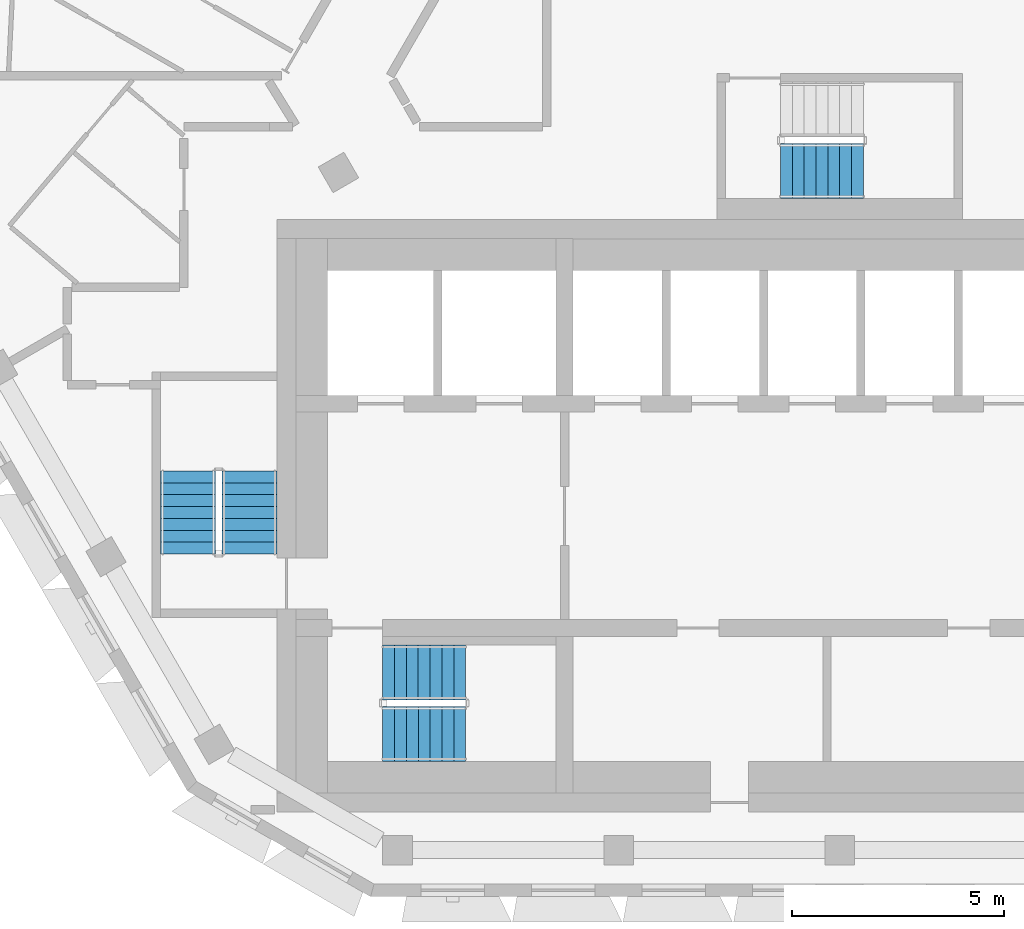
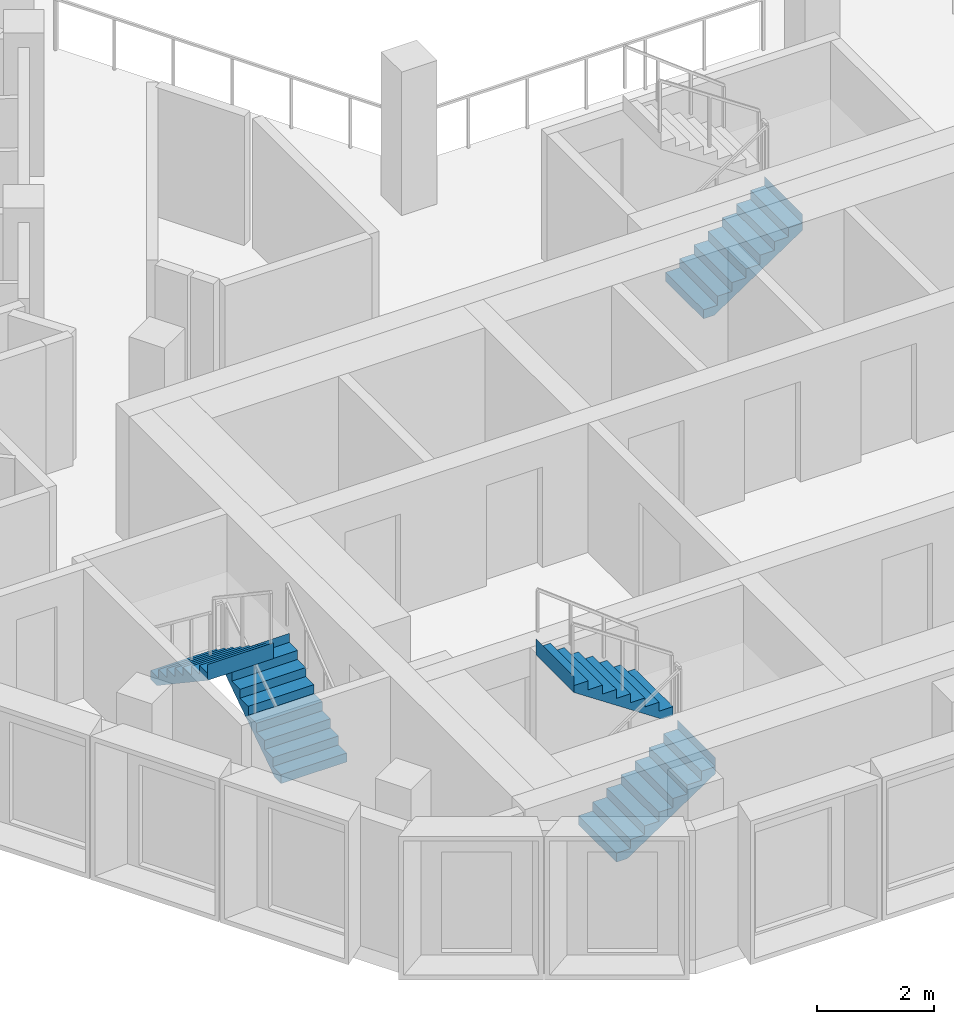
# One storey, part 10 of 16: 5 stair flights, 3 elements without a shape of their own.
"""IFC4 building model written with IfcOpenShell, lengths in metres."""

from ifc_helpers import new_model, si_unit, direction, frame, origin, place, context, subcontext, project, spatial, triangles, material, type_object, element, aggregate, save


model = new_model("IFC4")

# Units and contexts
model_context = context("Model", 3, precision=1e-05, world=origin(), true_north=direction((0.0, 1.0)))
body_context = subcontext(model_context, "Body", "Model", "MODEL_VIEW")
ifc_project = project(units=[si_unit("LENGTHUNIT", "METRE"), si_unit("AREAUNIT", "SQUARE_METRE"), si_unit("VOLUMEUNIT", "CUBIC_METRE"), si_unit("PLANEANGLEUNIT", "RADIAN"), si_unit("MASSUNIT", "GRAM", prefix="KILO")], contexts=[model_context])

# Site, building, storey
site_placement = place(None, origin())
site = spatial("IfcSite", under=ifc_project, at=site_placement, CompositionType="ELEMENT")
building_placement = place(site_placement, origin())
building = spatial("IfcBuilding", under=site, at=building_placement, Name="Beryl Residences", CompositionType="ELEMENT")
storey_placement = place(building_placement, frame((0.0, 0.0, 208.800048828125)))
storey = spatial("IfcBuildingStorey", under=building, at=storey_placement, Name="L64", CompositionType="ELEMENT", Elevation=208.800048828125)

# Stair, stair flights
ifc_material_1 = material(Name="Concrete C40/50", Category="concrete")
stair_type = type_object("IfcStairType", Name="ST1 protected exit stair, half-turn, 1300 mm flights", PredefinedType="HALF_TURN_STAIR", material=ifc_material_1)
stair_1_placement = place(storey_placement, origin())
stair_1 = element("IfcStair", 1, at=stair_1_placement, inside=storey, type_object=stair_type, Name="L64 PROTECTED EXIT STAIR ST-1", PredefinedType="HALF_TURN_STAIR")
ifc_material_2 = material(Name="Concrete C40/50", Category="concrete")
stair_flight_type = type_object("IfcStairFlightType", Name="SF1 stair flight 1300 mm", PredefinedType="STRAIGHT", material=ifc_material_2)
stair_flight_1_placement = place(storey_placement, frame((-10.800048828125, -17.14990234375, 0.0), z_axis=(0.0, 0.0, 1.0), x_axis=(1.0, 0.0, 0.0)))
stair_flight_1 = element("IfcStairFlight", 2, at=stair_flight_1_placement, type_object=stair_flight_type, Name="ST-1 flight 1", NumberOfRisers=8, NumberOfTreads=7, PredefinedType="STRAIGHT", RiserHeight=0.1875, TreadLength=0.28, context=body_context, shape_type="Tessellation", body=[
    triangles([(0.0, -0.64990234375, 0.0), (0.0, -0.324951171875, 0.0), (0.0, 0.0, 0.0), (0.0, 0.324951171875, 0.0), (0.0, 0.64990234375, 0.0), (0.0, -0.64990234375, 0.1875), (0.0, -0.324951171875, 0.1875), (0.0, 0.0, 0.1875), (0.0, 0.324951171875, 0.1875), (0.0, 0.64990234375, 0.1875), (0.280029296875, -0.64990234375, 0.1875), (0.280029296875, -0.324951171875, 0.1875), (0.280029296875, 0.0, 0.1875), (0.280029296875, 0.324951171875, 0.1875), (0.280029296875, 0.64990234375, 0.1875), (0.280029296875, -0.64990234375, 0.375), (0.280029296875, -0.324951171875, 0.375), (0.280029296875, 0.0, 0.375), (0.280029296875, 0.324951171875, 0.375), (0.280029296875, 0.64990234375, 0.375), (0.56005859375, -0.64990234375, 0.375), (0.56005859375, -0.324951171875, 0.375), (0.56005859375, 0.0, 0.375), (0.56005859375, 0.324951171875, 0.375), (0.56005859375, 0.64990234375, 0.375), (0.56005859375, -0.64990234375, 0.5625), (0.56005859375, -0.324951171875, 0.5625), (0.56005859375, 0.0, 0.5625), (0.56005859375, 0.324951171875, 0.5625), (0.56005859375, 0.64990234375, 0.5625), (0.840087890625, -0.64990234375, 0.5625), (0.840087890625, -0.324951171875, 0.5625), (0.840087890625, 0.0, 0.5625), (0.840087890625, 0.324951171875, 0.5625), (0.840087890625, 0.64990234375, 0.5625), (0.840087890625, -0.64990234375, 0.75), (0.840087890625, -0.324951171875, 0.75), (0.840087890625, 0.0, 0.75), (0.840087890625, 0.324951171875, 0.75), (0.840087890625, 0.64990234375, 0.75), (1.1201171875, -0.64990234375, 0.75), (1.1201171875, -0.324951171875, 0.75), (1.1201171875, 0.0, 0.75), (1.1201171875, 0.324951171875, 0.75), (1.1201171875, 0.64990234375, 0.75), (1.1201171875, -0.64990234375, 0.9375), (1.1201171875, -0.324951171875, 0.9375), (1.1201171875, 0.0, 0.9375), (1.1201171875, 0.324951171875, 0.9375), (1.1201171875, 0.64990234375, 0.9375), (1.39990234375, -0.64990234375, 0.9375), (1.39990234375, -0.324951171875, 0.9375), (1.39990234375, 0.0, 0.9375), (1.39990234375, 0.324951171875, 0.9375), (1.39990234375, 0.64990234375, 0.9375), (1.39990234375, -0.64990234375, 1.125), (1.39990234375, -0.324951171875, 1.125), (1.39990234375, 0.0, 1.125), (1.39990234375, 0.324951171875, 1.125), (1.39990234375, 0.64990234375, 1.125), (1.679931640625, -0.64990234375, 1.125), (1.679931640625, -0.324951171875, 1.125), (1.679931640625, 0.0, 1.125), (1.679931640625, 0.324951171875, 1.125), (1.679931640625, 0.64990234375, 1.125), (1.679931640625, -0.64990234375, 1.3125), (1.679931640625, -0.324951171875, 1.3125), (1.679931640625, 0.0, 1.3125), (1.679931640625, 0.324951171875, 1.3125), (1.679931640625, 0.64990234375, 1.3125), (1.9599609375, -0.64990234375, 1.3125), (1.9599609375, -0.324951171875, 1.3125), (1.9599609375, 0.0, 1.3125), (1.9599609375, 0.324951171875, 1.3125), (1.9599609375, 0.64990234375, 1.3125), (1.9599609375, -0.64990234375, 1.5), (1.9599609375, -0.324951171875, 1.5), (1.9599609375, 0.0, 1.5), (1.9599609375, 0.324951171875, 1.5), (1.9599609375, 0.64990234375, 1.5), (1.9609375, -0.64990234375, 1.5), (1.9609375, -0.324951171875, 1.5), (1.9609375, 0.0, 1.5), (1.9609375, 0.324951171875, 1.5), (1.9609375, 0.64990234375, 1.5), (1.9609375, -0.64990234375, 1.16796875), (1.9609375, -0.324951171875, 1.16796875), (1.9609375, 0.0, 1.16796875), (1.9609375, 0.324951171875, 1.16796875), (1.9609375, 0.64990234375, 1.16796875), (0.216796875, -0.64990234375, 0.0), (0.216796875, -0.324951171875, 0.0), (0.216796875, 0.0, 0.0), (0.216796875, 0.324951171875, 0.0), (0.216796875, 0.64990234375, 0.0)], [[1, 6, 7], [1, 7, 2], [2, 7, 8], [2, 8, 3], [3, 8, 9], [3, 9, 4], [4, 9, 10], [4, 10, 5], [6, 11, 12], [6, 12, 7], [7, 12, 13], [7, 13, 8], [8, 13, 14], [8, 14, 9], [9, 14, 15], [9, 15, 10], [11, 16, 17], [11, 17, 12], [12, 17, 18], [12, 18, 13], [13, 18, 19], [13, 19, 14], [14, 19, 20], [14, 20, 15], [16, 21, 22], [16, 22, 17], [17, 22, 23], [17, 23, 18], [18, 23, 24], [18, 24, 19], [19, 24, 25], [19, 25, 20], [21, 26, 27], [21, 27, 22], [22, 27, 28], [22, 28, 23], [23, 28, 29], [23, 29, 24], [24, 29, 30], [24, 30, 25], [26, 31, 32], [26, 32, 27], [27, 32, 33], [27, 33, 28], [28, 33, 34], [28, 34, 29], [29, 34, 35], [29, 35, 30], [31, 36, 37], [31, 37, 32], [32, 37, 38], [32, 38, 33], [33, 38, 39], [33, 39, 34], [34, 39, 40], [34, 40, 35], [36, 41, 42], [36, 42, 37], [37, 42, 43], [37, 43, 38], [38, 43, 44], [38, 44, 39], [39, 44, 45], [39, 45, 40], [41, 46, 47], [41, 47, 42], [42, 47, 48], [42, 48, 43], [43, 48, 49], [43, 49, 44], [44, 49, 50], [44, 50, 45], [46, 51, 52], [46, 52, 47], [47, 52, 53], [47, 53, 48], [48, 53, 54], [48, 54, 49], [49, 54, 55], [49, 55, 50], [51, 56, 57], [51, 57, 52], [52, 57, 58], [52, 58, 53], [53, 58, 59], [53, 59, 54], [54, 59, 60], [54, 60, 55], [56, 61, 62], [56, 62, 57], [57, 62, 63], [57, 63, 58], [58, 63, 64], [58, 64, 59], [59, 64, 65], [59, 65, 60], [61, 66, 67], [61, 67, 62], [62, 67, 68], [62, 68, 63], [63, 68, 69], [63, 69, 64], [64, 69, 70], [64, 70, 65], [66, 71, 72], [66, 72, 67], [67, 72, 73], [67, 73, 68], [68, 73, 74], [68, 74, 69], [69, 74, 75], [69, 75, 70], [71, 76, 77], [71, 77, 72], [72, 77, 78], [72, 78, 73], [73, 78, 79], [73, 79, 74], [74, 79, 80], [74, 80, 75], [76, 81, 82], [76, 82, 77], [77, 82, 83], [77, 83, 78], [78, 83, 84], [78, 84, 79], [79, 84, 85], [79, 85, 80], [81, 86, 87], [81, 87, 82], [82, 87, 88], [82, 88, 83], [83, 88, 89], [83, 89, 84], [84, 89, 90], [84, 90, 85], [86, 91, 92], [86, 92, 87], [87, 92, 93], [87, 93, 88], [88, 93, 94], [88, 94, 89], [89, 94, 95], [89, 95, 90], [91, 1, 2], [91, 2, 92], [92, 2, 3], [92, 3, 93], [93, 3, 4], [93, 4, 94], [94, 4, 5], [94, 5, 95], [1, 91, 86], [5, 90, 95], [86, 81, 76], [90, 80, 85], [86, 76, 71], [90, 75, 80], [86, 71, 66], [90, 70, 75], [86, 66, 61], [90, 65, 70], [61, 56, 51], [65, 55, 60], [86, 61, 51], [90, 55, 65], [51, 46, 41], [55, 45, 50], [86, 51, 41], [90, 45, 55], [41, 36, 31], [45, 35, 40], [86, 41, 31], [90, 35, 45], [31, 26, 21], [35, 25, 30], [86, 31, 21], [90, 25, 35], [21, 16, 11], [25, 15, 20], [86, 21, 11], [90, 15, 25], [1, 86, 11], [5, 15, 90], [11, 6, 1], [15, 5, 10]], closed=True),
])
stair_flight_2_placement = place(storey_placement, frame((-8.840087890625, -15.699951171875, 1.5), z_axis=(0.0, 0.0, 1.0), x_axis=(-1.0, 0.0, 0.0)))
stair_flight_2 = element("IfcStairFlight", 3, at=stair_flight_2_placement, type_object=stair_flight_type, Name="ST-1 flight 2", NumberOfRisers=8, NumberOfTreads=7, PredefinedType="STRAIGHT", RiserHeight=0.1875, TreadLength=0.28, context=body_context, shape_type="Tessellation", body=[
    triangles([(0.0, -0.64990234375, 0.0), (0.0, -0.324951171875, 0.0), (0.0, 0.0, 0.0), (0.0, 0.324951171875, 0.0), (0.0, 0.64990234375, 0.0), (0.0, -0.64990234375, 0.1875), (0.0, -0.324951171875, 0.1875), (0.0, 0.0, 0.1875), (0.0, 0.324951171875, 0.1875), (0.0, 0.64990234375, 0.1875), (0.280029296875, -0.64990234375, 0.1875), (0.280029296875, -0.324951171875, 0.1875), (0.280029296875, 0.0, 0.1875), (0.280029296875, 0.324951171875, 0.1875), (0.280029296875, 0.64990234375, 0.1875), (0.280029296875, -0.64990234375, 0.375), (0.280029296875, -0.324951171875, 0.375), (0.280029296875, 0.0, 0.375), (0.280029296875, 0.324951171875, 0.375), (0.280029296875, 0.64990234375, 0.375), (0.56005859375, -0.64990234375, 0.375), (0.56005859375, -0.324951171875, 0.375), (0.56005859375, 0.0, 0.375), (0.56005859375, 0.324951171875, 0.375), (0.56005859375, 0.64990234375, 0.375), (0.56005859375, -0.64990234375, 0.5625), (0.56005859375, -0.324951171875, 0.5625), (0.56005859375, 0.0, 0.5625), (0.56005859375, 0.324951171875, 0.5625), (0.56005859375, 0.64990234375, 0.5625), (0.840087890625, -0.64990234375, 0.5625), (0.840087890625, -0.324951171875, 0.5625), (0.840087890625, 0.0, 0.5625), (0.840087890625, 0.324951171875, 0.5625), (0.840087890625, 0.64990234375, 0.5625), (0.840087890625, -0.64990234375, 0.75), (0.840087890625, -0.324951171875, 0.75), (0.840087890625, 0.0, 0.75), (0.840087890625, 0.324951171875, 0.75), (0.840087890625, 0.64990234375, 0.75), (1.1201171875, -0.64990234375, 0.75), (1.1201171875, -0.324951171875, 0.75), (1.1201171875, 0.0, 0.75), (1.1201171875, 0.324951171875, 0.75), (1.1201171875, 0.64990234375, 0.75), (1.1201171875, -0.64990234375, 0.9375), (1.1201171875, -0.324951171875, 0.9375), (1.1201171875, 0.0, 0.9375), (1.1201171875, 0.324951171875, 0.9375), (1.1201171875, 0.64990234375, 0.9375), (1.39990234375, -0.64990234375, 0.9375), (1.39990234375, -0.324951171875, 0.9375), (1.39990234375, 0.0, 0.9375), (1.39990234375, 0.324951171875, 0.9375), (1.39990234375, 0.64990234375, 0.9375), (1.39990234375, -0.64990234375, 1.125), (1.39990234375, -0.324951171875, 1.125), (1.39990234375, 0.0, 1.125), (1.39990234375, 0.324951171875, 1.125), (1.39990234375, 0.64990234375, 1.125), (1.679931640625, -0.64990234375, 1.125), (1.679931640625, -0.324951171875, 1.125), (1.679931640625, 0.0, 1.125), (1.679931640625, 0.324951171875, 1.125), (1.679931640625, 0.64990234375, 1.125), (1.679931640625, -0.64990234375, 1.3125), (1.679931640625, -0.324951171875, 1.3125), (1.679931640625, 0.0, 1.3125), (1.679931640625, 0.324951171875, 1.3125), (1.679931640625, 0.64990234375, 1.3125), (1.9599609375, -0.64990234375, 1.3125), (1.9599609375, -0.324951171875, 1.3125), (1.9599609375, 0.0, 1.3125), (1.9599609375, 0.324951171875, 1.3125), (1.9599609375, 0.64990234375, 1.3125), (1.9599609375, -0.64990234375, 1.5), (1.9599609375, -0.324951171875, 1.5), (1.9599609375, 0.0, 1.5), (1.9599609375, 0.324951171875, 1.5), (1.9599609375, 0.64990234375, 1.5), (1.9609375, -0.64990234375, 1.5), (1.9609375, -0.324951171875, 1.5), (1.9609375, 0.0, 1.5), (1.9609375, 0.324951171875, 1.5), (1.9609375, 0.64990234375, 1.5), (1.9609375, -0.64990234375, 1.16796875), (1.9609375, -0.324951171875, 1.16796875), (1.9609375, 0.0, 1.16796875), (1.9609375, 0.324951171875, 1.16796875), (1.9609375, 0.64990234375, 1.16796875), (0.216796875, -0.64990234375, 0.0), (0.216796875, -0.324951171875, 0.0), (0.216796875, 0.0, 0.0), (0.216796875, 0.324951171875, 0.0), (0.216796875, 0.64990234375, 0.0)], [[1, 6, 7], [1, 7, 2], [2, 7, 8], [2, 8, 3], [3, 8, 9], [3, 9, 4], [4, 9, 10], [4, 10, 5], [6, 11, 12], [6, 12, 7], [7, 12, 13], [7, 13, 8], [8, 13, 14], [8, 14, 9], [9, 14, 15], [9, 15, 10], [11, 16, 17], [11, 17, 12], [12, 17, 18], [12, 18, 13], [13, 18, 19], [13, 19, 14], [14, 19, 20], [14, 20, 15], [16, 21, 22], [16, 22, 17], [17, 22, 23], [17, 23, 18], [18, 23, 24], [18, 24, 19], [19, 24, 25], [19, 25, 20], [21, 26, 27], [21, 27, 22], [22, 27, 28], [22, 28, 23], [23, 28, 29], [23, 29, 24], [24, 29, 30], [24, 30, 25], [26, 31, 32], [26, 32, 27], [27, 32, 33], [27, 33, 28], [28, 33, 34], [28, 34, 29], [29, 34, 35], [29, 35, 30], [31, 36, 37], [31, 37, 32], [32, 37, 38], [32, 38, 33], [33, 38, 39], [33, 39, 34], [34, 39, 40], [34, 40, 35], [36, 41, 42], [36, 42, 37], [37, 42, 43], [37, 43, 38], [38, 43, 44], [38, 44, 39], [39, 44, 45], [39, 45, 40], [41, 46, 47], [41, 47, 42], [42, 47, 48], [42, 48, 43], [43, 48, 49], [43, 49, 44], [44, 49, 50], [44, 50, 45], [46, 51, 52], [46, 52, 47], [47, 52, 53], [47, 53, 48], [48, 53, 54], [48, 54, 49], [49, 54, 55], [49, 55, 50], [51, 56, 57], [51, 57, 52], [52, 57, 58], [52, 58, 53], [53, 58, 59], [53, 59, 54], [54, 59, 60], [54, 60, 55], [56, 61, 62], [56, 62, 57], [57, 62, 63], [57, 63, 58], [58, 63, 64], [58, 64, 59], [59, 64, 65], [59, 65, 60], [61, 66, 67], [61, 67, 62], [62, 67, 68], [62, 68, 63], [63, 68, 69], [63, 69, 64], [64, 69, 70], [64, 70, 65], [66, 71, 72], [66, 72, 67], [67, 72, 73], [67, 73, 68], [68, 73, 74], [68, 74, 69], [69, 74, 75], [69, 75, 70], [71, 76, 77], [71, 77, 72], [72, 77, 78], [72, 78, 73], [73, 78, 79], [73, 79, 74], [74, 79, 80], [74, 80, 75], [76, 81, 82], [76, 82, 77], [77, 82, 83], [77, 83, 78], [78, 83, 84], [78, 84, 79], [79, 84, 85], [79, 85, 80], [81, 86, 87], [81, 87, 82], [82, 87, 88], [82, 88, 83], [83, 88, 89], [83, 89, 84], [84, 89, 90], [84, 90, 85], [86, 91, 92], [86, 92, 87], [87, 92, 93], [87, 93, 88], [88, 93, 94], [88, 94, 89], [89, 94, 95], [89, 95, 90], [91, 1, 2], [91, 2, 92], [92, 2, 3], [92, 3, 93], [93, 3, 4], [93, 4, 94], [94, 4, 5], [94, 5, 95], [1, 91, 86], [5, 90, 95], [86, 81, 76], [90, 80, 85], [86, 76, 71], [90, 75, 80], [86, 71, 66], [90, 70, 75], [86, 66, 61], [90, 65, 70], [61, 56, 51], [65, 55, 60], [86, 61, 51], [90, 55, 65], [51, 46, 41], [55, 45, 50], [86, 51, 41], [90, 45, 55], [41, 36, 31], [45, 35, 40], [86, 41, 31], [90, 35, 45], [31, 26, 21], [35, 25, 30], [86, 31, 21], [90, 25, 35], [21, 16, 11], [25, 15, 20], [86, 21, 11], [90, 15, 25], [1, 86, 11], [5, 15, 90], [11, 6, 1], [15, 5, 10]], closed=True),
])
aggregate(stair_1, [stair_flight_1, stair_flight_2])

stair_2_placement = place(storey_placement, origin())
stair_2 = element("IfcStair", 4, at=stair_2_placement, inside=storey, type_object=stair_type, Name="L64 PROTECTED EXIT STAIR ST-2", PredefinedType="HALF_TURN_STAIR")
stair_flight_3_placement = place(storey_placement, frame((-13.949951171875, -12.89990234375, 0.0), z_axis=(0.0, 0.0, 1.0), x_axis=(0.0, 1.0, 0.0)))
stair_flight_3 = element("IfcStairFlight", 5, at=stair_flight_3_placement, type_object=stair_flight_type, Name="ST-2 flight 1", NumberOfRisers=8, NumberOfTreads=7, PredefinedType="STRAIGHT", RiserHeight=0.1875, TreadLength=0.28, context=body_context, shape_type="Tessellation", body=[
    triangles([(0.0, -0.64990234375, 0.0), (0.0, -0.324951171875, 0.0), (0.0, 0.0, 0.0), (0.0, 0.324951171875, 0.0), (0.0, 0.64990234375, 0.0), (0.0, -0.64990234375, 0.1875), (0.0, -0.324951171875, 0.1875), (0.0, 0.0, 0.1875), (0.0, 0.324951171875, 0.1875), (0.0, 0.64990234375, 0.1875), (0.280029296875, -0.64990234375, 0.1875), (0.280029296875, -0.324951171875, 0.1875), (0.280029296875, 0.0, 0.1875), (0.280029296875, 0.324951171875, 0.1875), (0.280029296875, 0.64990234375, 0.1875), (0.280029296875, -0.64990234375, 0.375), (0.280029296875, -0.324951171875, 0.375), (0.280029296875, 0.0, 0.375), (0.280029296875, 0.324951171875, 0.375), (0.280029296875, 0.64990234375, 0.375), (0.56005859375, -0.64990234375, 0.375), (0.56005859375, -0.324951171875, 0.375), (0.56005859375, 0.0, 0.375), (0.56005859375, 0.324951171875, 0.375), (0.56005859375, 0.64990234375, 0.375), (0.56005859375, -0.64990234375, 0.5625), (0.56005859375, -0.324951171875, 0.5625), (0.56005859375, 0.0, 0.5625), (0.56005859375, 0.324951171875, 0.5625), (0.56005859375, 0.64990234375, 0.5625), (0.840087890625, -0.64990234375, 0.5625), (0.840087890625, -0.324951171875, 0.5625), (0.840087890625, 0.0, 0.5625), (0.840087890625, 0.324951171875, 0.5625), (0.840087890625, 0.64990234375, 0.5625), (0.840087890625, -0.64990234375, 0.75), (0.840087890625, -0.324951171875, 0.75), (0.840087890625, 0.0, 0.75), (0.840087890625, 0.324951171875, 0.75), (0.840087890625, 0.64990234375, 0.75), (1.1201171875, -0.64990234375, 0.75), (1.1201171875, -0.324951171875, 0.75), (1.1201171875, 0.0, 0.75), (1.1201171875, 0.324951171875, 0.75), (1.1201171875, 0.64990234375, 0.75), (1.1201171875, -0.64990234375, 0.9375), (1.1201171875, -0.324951171875, 0.9375), (1.1201171875, 0.0, 0.9375), (1.1201171875, 0.324951171875, 0.9375), (1.1201171875, 0.64990234375, 0.9375), (1.39990234375, -0.64990234375, 0.9375), (1.39990234375, -0.324951171875, 0.9375), (1.39990234375, 0.0, 0.9375), (1.39990234375, 0.324951171875, 0.9375), (1.39990234375, 0.64990234375, 0.9375), (1.39990234375, -0.64990234375, 1.125), (1.39990234375, -0.324951171875, 1.125), (1.39990234375, 0.0, 1.125), (1.39990234375, 0.324951171875, 1.125), (1.39990234375, 0.64990234375, 1.125), (1.679931640625, -0.64990234375, 1.125), (1.679931640625, -0.324951171875, 1.125), (1.679931640625, 0.0, 1.125), (1.679931640625, 0.324951171875, 1.125), (1.679931640625, 0.64990234375, 1.125), (1.679931640625, -0.64990234375, 1.3125), (1.679931640625, -0.324951171875, 1.3125), (1.679931640625, 0.0, 1.3125), (1.679931640625, 0.324951171875, 1.3125), (1.679931640625, 0.64990234375, 1.3125), (1.9599609375, -0.64990234375, 1.3125), (1.9599609375, -0.324951171875, 1.3125), (1.9599609375, 0.0, 1.3125), (1.9599609375, 0.324951171875, 1.3125), (1.9599609375, 0.64990234375, 1.3125), (1.9599609375, -0.64990234375, 1.5), (1.9599609375, -0.324951171875, 1.5), (1.9599609375, 0.0, 1.5), (1.9599609375, 0.324951171875, 1.5), (1.9599609375, 0.64990234375, 1.5), (1.9609375, -0.64990234375, 1.5), (1.9609375, -0.324951171875, 1.5), (1.9609375, 0.0, 1.5), (1.9609375, 0.324951171875, 1.5), (1.9609375, 0.64990234375, 1.5), (1.9609375, -0.64990234375, 1.16796875), (1.9609375, -0.324951171875, 1.16796875), (1.9609375, 0.0, 1.16796875), (1.9609375, 0.324951171875, 1.16796875), (1.9609375, 0.64990234375, 1.16796875), (0.216796875, -0.64990234375, 0.0), (0.216796875, -0.324951171875, 0.0), (0.216796875, 0.0, 0.0), (0.216796875, 0.324951171875, 0.0), (0.216796875, 0.64990234375, 0.0)], [[1, 6, 7], [1, 7, 2], [2, 7, 8], [2, 8, 3], [3, 8, 9], [3, 9, 4], [4, 9, 10], [4, 10, 5], [6, 11, 12], [6, 12, 7], [7, 12, 13], [7, 13, 8], [8, 13, 14], [8, 14, 9], [9, 14, 15], [9, 15, 10], [11, 16, 17], [11, 17, 12], [12, 17, 18], [12, 18, 13], [13, 18, 19], [13, 19, 14], [14, 19, 20], [14, 20, 15], [16, 21, 22], [16, 22, 17], [17, 22, 23], [17, 23, 18], [18, 23, 24], [18, 24, 19], [19, 24, 25], [19, 25, 20], [21, 26, 27], [21, 27, 22], [22, 27, 28], [22, 28, 23], [23, 28, 29], [23, 29, 24], [24, 29, 30], [24, 30, 25], [26, 31, 32], [26, 32, 27], [27, 32, 33], [27, 33, 28], [28, 33, 34], [28, 34, 29], [29, 34, 35], [29, 35, 30], [31, 36, 37], [31, 37, 32], [32, 37, 38], [32, 38, 33], [33, 38, 39], [33, 39, 34], [34, 39, 40], [34, 40, 35], [36, 41, 42], [36, 42, 37], [37, 42, 43], [37, 43, 38], [38, 43, 44], [38, 44, 39], [39, 44, 45], [39, 45, 40], [41, 46, 47], [41, 47, 42], [42, 47, 48], [42, 48, 43], [43, 48, 49], [43, 49, 44], [44, 49, 50], [44, 50, 45], [46, 51, 52], [46, 52, 47], [47, 52, 53], [47, 53, 48], [48, 53, 54], [48, 54, 49], [49, 54, 55], [49, 55, 50], [51, 56, 57], [51, 57, 52], [52, 57, 58], [52, 58, 53], [53, 58, 59], [53, 59, 54], [54, 59, 60], [54, 60, 55], [56, 61, 62], [56, 62, 57], [57, 62, 63], [57, 63, 58], [58, 63, 64], [58, 64, 59], [59, 64, 65], [59, 65, 60], [61, 66, 67], [61, 67, 62], [62, 67, 68], [62, 68, 63], [63, 68, 69], [63, 69, 64], [64, 69, 70], [64, 70, 65], [66, 71, 72], [66, 72, 67], [67, 72, 73], [67, 73, 68], [68, 73, 74], [68, 74, 69], [69, 74, 75], [69, 75, 70], [71, 76, 77], [71, 77, 72], [72, 77, 78], [72, 78, 73], [73, 78, 79], [73, 79, 74], [74, 79, 80], [74, 80, 75], [76, 81, 82], [76, 82, 77], [77, 82, 83], [77, 83, 78], [78, 83, 84], [78, 84, 79], [79, 84, 85], [79, 85, 80], [81, 86, 87], [81, 87, 82], [82, 87, 88], [82, 88, 83], [83, 88, 89], [83, 89, 84], [84, 89, 90], [84, 90, 85], [86, 91, 92], [86, 92, 87], [87, 92, 93], [87, 93, 88], [88, 93, 94], [88, 94, 89], [89, 94, 95], [89, 95, 90], [91, 1, 2], [91, 2, 92], [92, 2, 3], [92, 3, 93], [93, 3, 4], [93, 4, 94], [94, 4, 5], [94, 5, 95], [1, 91, 86], [5, 90, 95], [86, 81, 76], [90, 80, 85], [86, 76, 71], [90, 75, 80], [86, 71, 66], [90, 70, 75], [86, 66, 61], [90, 65, 70], [61, 56, 51], [65, 55, 60], [86, 61, 51], [90, 55, 65], [51, 46, 41], [55, 45, 50], [86, 51, 41], [90, 45, 55], [41, 36, 31], [45, 35, 40], [86, 41, 31], [90, 35, 45], [31, 26, 21], [35, 25, 30], [86, 31, 21], [90, 25, 35], [21, 16, 11], [25, 15, 20], [86, 21, 11], [90, 15, 25], [1, 86, 11], [5, 15, 90], [11, 6, 1], [15, 5, 10]], closed=True),
])
stair_flight_4_placement = place(storey_placement, frame((-15.39990234375, -10.93994140625, 1.5), z_axis=(0.0, 0.0, 1.0), x_axis=(0.0, -1.0, 0.0)))
stair_flight_4 = element("IfcStairFlight", 6, at=stair_flight_4_placement, type_object=stair_flight_type, Name="ST-2 flight 2", NumberOfRisers=8, NumberOfTreads=7, PredefinedType="STRAIGHT", RiserHeight=0.1875, TreadLength=0.28, context=body_context, shape_type="Tessellation", body=[
    triangles([(0.0, -0.64990234375, 0.0), (0.0, -0.324951171875, 0.0), (0.0, 0.0, 0.0), (0.0, 0.324951171875, 0.0), (0.0, 0.64990234375, 0.0), (0.0, -0.64990234375, 0.1875), (0.0, -0.324951171875, 0.1875), (0.0, 0.0, 0.1875), (0.0, 0.324951171875, 0.1875), (0.0, 0.64990234375, 0.1875), (0.280029296875, -0.64990234375, 0.1875), (0.280029296875, -0.324951171875, 0.1875), (0.280029296875, 0.0, 0.1875), (0.280029296875, 0.324951171875, 0.1875), (0.280029296875, 0.64990234375, 0.1875), (0.280029296875, -0.64990234375, 0.375), (0.280029296875, -0.324951171875, 0.375), (0.280029296875, 0.0, 0.375), (0.280029296875, 0.324951171875, 0.375), (0.280029296875, 0.64990234375, 0.375), (0.56005859375, -0.64990234375, 0.375), (0.56005859375, -0.324951171875, 0.375), (0.56005859375, 0.0, 0.375), (0.56005859375, 0.324951171875, 0.375), (0.56005859375, 0.64990234375, 0.375), (0.56005859375, -0.64990234375, 0.5625), (0.56005859375, -0.324951171875, 0.5625), (0.56005859375, 0.0, 0.5625), (0.56005859375, 0.324951171875, 0.5625), (0.56005859375, 0.64990234375, 0.5625), (0.840087890625, -0.64990234375, 0.5625), (0.840087890625, -0.324951171875, 0.5625), (0.840087890625, 0.0, 0.5625), (0.840087890625, 0.324951171875, 0.5625), (0.840087890625, 0.64990234375, 0.5625), (0.840087890625, -0.64990234375, 0.75), (0.840087890625, -0.324951171875, 0.75), (0.840087890625, 0.0, 0.75), (0.840087890625, 0.324951171875, 0.75), (0.840087890625, 0.64990234375, 0.75), (1.1201171875, -0.64990234375, 0.75), (1.1201171875, -0.324951171875, 0.75), (1.1201171875, 0.0, 0.75), (1.1201171875, 0.324951171875, 0.75), (1.1201171875, 0.64990234375, 0.75), (1.1201171875, -0.64990234375, 0.9375), (1.1201171875, -0.324951171875, 0.9375), (1.1201171875, 0.0, 0.9375), (1.1201171875, 0.324951171875, 0.9375), (1.1201171875, 0.64990234375, 0.9375), (1.39990234375, -0.64990234375, 0.9375), (1.39990234375, -0.324951171875, 0.9375), (1.39990234375, 0.0, 0.9375), (1.39990234375, 0.324951171875, 0.9375), (1.39990234375, 0.64990234375, 0.9375), (1.39990234375, -0.64990234375, 1.125), (1.39990234375, -0.324951171875, 1.125), (1.39990234375, 0.0, 1.125), (1.39990234375, 0.324951171875, 1.125), (1.39990234375, 0.64990234375, 1.125), (1.679931640625, -0.64990234375, 1.125), (1.679931640625, -0.324951171875, 1.125), (1.679931640625, 0.0, 1.125), (1.679931640625, 0.324951171875, 1.125), (1.679931640625, 0.64990234375, 1.125), (1.679931640625, -0.64990234375, 1.3125), (1.679931640625, -0.324951171875, 1.3125), (1.679931640625, 0.0, 1.3125), (1.679931640625, 0.324951171875, 1.3125), (1.679931640625, 0.64990234375, 1.3125), (1.9599609375, -0.64990234375, 1.3125), (1.9599609375, -0.324951171875, 1.3125), (1.9599609375, 0.0, 1.3125), (1.9599609375, 0.324951171875, 1.3125), (1.9599609375, 0.64990234375, 1.3125), (1.9599609375, -0.64990234375, 1.5), (1.9599609375, -0.324951171875, 1.5), (1.9599609375, 0.0, 1.5), (1.9599609375, 0.324951171875, 1.5), (1.9599609375, 0.64990234375, 1.5), (1.9609375, -0.64990234375, 1.5), (1.9609375, -0.324951171875, 1.5), (1.9609375, 0.0, 1.5), (1.9609375, 0.324951171875, 1.5), (1.9609375, 0.64990234375, 1.5), (1.9609375, -0.64990234375, 1.16796875), (1.9609375, -0.324951171875, 1.16796875), (1.9609375, 0.0, 1.16796875), (1.9609375, 0.324951171875, 1.16796875), (1.9609375, 0.64990234375, 1.16796875), (0.216796875, -0.64990234375, 0.0), (0.216796875, -0.324951171875, 0.0), (0.216796875, 0.0, 0.0), (0.216796875, 0.324951171875, 0.0), (0.216796875, 0.64990234375, 0.0)], [[1, 6, 7], [1, 7, 2], [2, 7, 8], [2, 8, 3], [3, 8, 9], [3, 9, 4], [4, 9, 10], [4, 10, 5], [6, 11, 12], [6, 12, 7], [7, 12, 13], [7, 13, 8], [8, 13, 14], [8, 14, 9], [9, 14, 15], [9, 15, 10], [11, 16, 17], [11, 17, 12], [12, 17, 18], [12, 18, 13], [13, 18, 19], [13, 19, 14], [14, 19, 20], [14, 20, 15], [16, 21, 22], [16, 22, 17], [17, 22, 23], [17, 23, 18], [18, 23, 24], [18, 24, 19], [19, 24, 25], [19, 25, 20], [21, 26, 27], [21, 27, 22], [22, 27, 28], [22, 28, 23], [23, 28, 29], [23, 29, 24], [24, 29, 30], [24, 30, 25], [26, 31, 32], [26, 32, 27], [27, 32, 33], [27, 33, 28], [28, 33, 34], [28, 34, 29], [29, 34, 35], [29, 35, 30], [31, 36, 37], [31, 37, 32], [32, 37, 38], [32, 38, 33], [33, 38, 39], [33, 39, 34], [34, 39, 40], [34, 40, 35], [36, 41, 42], [36, 42, 37], [37, 42, 43], [37, 43, 38], [38, 43, 44], [38, 44, 39], [39, 44, 45], [39, 45, 40], [41, 46, 47], [41, 47, 42], [42, 47, 48], [42, 48, 43], [43, 48, 49], [43, 49, 44], [44, 49, 50], [44, 50, 45], [46, 51, 52], [46, 52, 47], [47, 52, 53], [47, 53, 48], [48, 53, 54], [48, 54, 49], [49, 54, 55], [49, 55, 50], [51, 56, 57], [51, 57, 52], [52, 57, 58], [52, 58, 53], [53, 58, 59], [53, 59, 54], [54, 59, 60], [54, 60, 55], [56, 61, 62], [56, 62, 57], [57, 62, 63], [57, 63, 58], [58, 63, 64], [58, 64, 59], [59, 64, 65], [59, 65, 60], [61, 66, 67], [61, 67, 62], [62, 67, 68], [62, 68, 63], [63, 68, 69], [63, 69, 64], [64, 69, 70], [64, 70, 65], [66, 71, 72], [66, 72, 67], [67, 72, 73], [67, 73, 68], [68, 73, 74], [68, 74, 69], [69, 74, 75], [69, 75, 70], [71, 76, 77], [71, 77, 72], [72, 77, 78], [72, 78, 73], [73, 78, 79], [73, 79, 74], [74, 79, 80], [74, 80, 75], [76, 81, 82], [76, 82, 77], [77, 82, 83], [77, 83, 78], [78, 83, 84], [78, 84, 79], [79, 84, 85], [79, 85, 80], [81, 86, 87], [81, 87, 82], [82, 87, 88], [82, 88, 83], [83, 88, 89], [83, 89, 84], [84, 89, 90], [84, 90, 85], [86, 91, 92], [86, 92, 87], [87, 92, 93], [87, 93, 88], [88, 93, 94], [88, 94, 89], [89, 94, 95], [89, 95, 90], [91, 1, 2], [91, 2, 92], [92, 2, 3], [92, 3, 93], [93, 3, 4], [93, 4, 94], [94, 4, 5], [94, 5, 95], [1, 91, 86], [5, 90, 95], [86, 81, 76], [90, 80, 85], [86, 76, 71], [90, 75, 80], [86, 71, 66], [90, 70, 75], [86, 66, 61], [90, 65, 70], [61, 56, 51], [65, 55, 60], [86, 61, 51], [90, 55, 65], [51, 46, 41], [55, 45, 50], [86, 51, 41], [90, 45, 55], [41, 36, 31], [45, 35, 40], [86, 41, 31], [90, 35, 45], [31, 26, 21], [35, 25, 30], [86, 31, 21], [90, 25, 35], [21, 16, 11], [25, 15, 20], [86, 21, 11], [90, 15, 25], [1, 86, 11], [5, 15, 90], [11, 6, 1], [15, 5, 10]], closed=True),
])
aggregate(stair_2, [stair_flight_3, stair_flight_4])

# Stair, stair flight
stair_3_placement = place(storey_placement, origin())
stair_3 = element("IfcStair", 7, at=stair_3_placement, inside=storey, type_object=stair_type, Name="L64 PROTECTED EXIT STAIR ST-4", PredefinedType="HALF_TURN_STAIR")
stair_flight_5_placement = place(storey_placement, frame((-1.39990234375, -3.85009765625, 0.0), z_axis=(0.0, 0.0, 1.0), x_axis=(1.0, 0.0, 0.0)))
stair_flight_5 = element("IfcStairFlight", 8, at=stair_flight_5_placement, type_object=stair_flight_type, Name="ST-4 flight 1", NumberOfRisers=8, NumberOfTreads=7, PredefinedType="STRAIGHT", RiserHeight=0.1875, TreadLength=0.28, context=body_context, shape_type="Tessellation", body=[
    triangles([(0.0, -0.64990234375, 0.0), (0.0, -0.324951171875, 0.0), (0.0, 0.0, 0.0), (0.0, 0.324951171875, 0.0), (0.0, 0.64990234375, 0.0), (0.0, -0.64990234375, 0.1875), (0.0, -0.324951171875, 0.1875), (0.0, 0.0, 0.1875), (0.0, 0.324951171875, 0.1875), (0.0, 0.64990234375, 0.1875), (0.280029296875, -0.64990234375, 0.1875), (0.280029296875, -0.324951171875, 0.1875), (0.280029296875, 0.0, 0.1875), (0.280029296875, 0.324951171875, 0.1875), (0.280029296875, 0.64990234375, 0.1875), (0.280029296875, -0.64990234375, 0.375), (0.280029296875, -0.324951171875, 0.375), (0.280029296875, 0.0, 0.375), (0.280029296875, 0.324951171875, 0.375), (0.280029296875, 0.64990234375, 0.375), (0.56005859375, -0.64990234375, 0.375), (0.56005859375, -0.324951171875, 0.375), (0.56005859375, 0.0, 0.375), (0.56005859375, 0.324951171875, 0.375), (0.56005859375, 0.64990234375, 0.375), (0.56005859375, -0.64990234375, 0.5625), (0.56005859375, -0.324951171875, 0.5625), (0.56005859375, 0.0, 0.5625), (0.56005859375, 0.324951171875, 0.5625), (0.56005859375, 0.64990234375, 0.5625), (0.840087890625, -0.64990234375, 0.5625), (0.840087890625, -0.324951171875, 0.5625), (0.840087890625, 0.0, 0.5625), (0.840087890625, 0.324951171875, 0.5625), (0.840087890625, 0.64990234375, 0.5625), (0.840087890625, -0.64990234375, 0.75), (0.840087890625, -0.324951171875, 0.75), (0.840087890625, 0.0, 0.75), (0.840087890625, 0.324951171875, 0.75), (0.840087890625, 0.64990234375, 0.75), (1.1201171875, -0.64990234375, 0.75), (1.1201171875, -0.324951171875, 0.75), (1.1201171875, 0.0, 0.75), (1.1201171875, 0.324951171875, 0.75), (1.1201171875, 0.64990234375, 0.75), (1.1201171875, -0.64990234375, 0.9375), (1.1201171875, -0.324951171875, 0.9375), (1.1201171875, 0.0, 0.9375), (1.1201171875, 0.324951171875, 0.9375), (1.1201171875, 0.64990234375, 0.9375), (1.39990234375, -0.64990234375, 0.9375), (1.39990234375, -0.324951171875, 0.9375), (1.39990234375, 0.0, 0.9375), (1.39990234375, 0.324951171875, 0.9375), (1.39990234375, 0.64990234375, 0.9375), (1.39990234375, -0.64990234375, 1.125), (1.39990234375, -0.324951171875, 1.125), (1.39990234375, 0.0, 1.125), (1.39990234375, 0.324951171875, 1.125), (1.39990234375, 0.64990234375, 1.125), (1.679931640625, -0.64990234375, 1.125), (1.679931640625, -0.324951171875, 1.125), (1.679931640625, 0.0, 1.125), (1.679931640625, 0.324951171875, 1.125), (1.679931640625, 0.64990234375, 1.125), (1.679931640625, -0.64990234375, 1.3125), (1.679931640625, -0.324951171875, 1.3125), (1.679931640625, 0.0, 1.3125), (1.679931640625, 0.324951171875, 1.3125), (1.679931640625, 0.64990234375, 1.3125), (1.9599609375, -0.64990234375, 1.3125), (1.9599609375, -0.324951171875, 1.3125), (1.9599609375, 0.0, 1.3125), (1.9599609375, 0.324951171875, 1.3125), (1.9599609375, 0.64990234375, 1.3125), (1.9599609375, -0.64990234375, 1.5), (1.9599609375, -0.324951171875, 1.5), (1.9599609375, 0.0, 1.5), (1.9599609375, 0.324951171875, 1.5), (1.9599609375, 0.64990234375, 1.5), (1.9609375, -0.64990234375, 1.5), (1.9609375, -0.324951171875, 1.5), (1.9609375, 0.0, 1.5), (1.9609375, 0.324951171875, 1.5), (1.9609375, 0.64990234375, 1.5), (1.9609375, -0.64990234375, 1.16796875), (1.9609375, -0.324951171875, 1.16796875), (1.9609375, 0.0, 1.16796875), (1.9609375, 0.324951171875, 1.16796875), (1.9609375, 0.64990234375, 1.16796875), (0.216796875, -0.64990234375, 0.0), (0.216796875, -0.324951171875, 0.0), (0.216796875, 0.0, 0.0), (0.216796875, 0.324951171875, 0.0), (0.216796875, 0.64990234375, 0.0)], [[1, 6, 7], [1, 7, 2], [2, 7, 8], [2, 8, 3], [3, 8, 9], [3, 9, 4], [4, 9, 10], [4, 10, 5], [6, 11, 12], [6, 12, 7], [7, 12, 13], [7, 13, 8], [8, 13, 14], [8, 14, 9], [9, 14, 15], [9, 15, 10], [11, 16, 17], [11, 17, 12], [12, 17, 18], [12, 18, 13], [13, 18, 19], [13, 19, 14], [14, 19, 20], [14, 20, 15], [16, 21, 22], [16, 22, 17], [17, 22, 23], [17, 23, 18], [18, 23, 24], [18, 24, 19], [19, 24, 25], [19, 25, 20], [21, 26, 27], [21, 27, 22], [22, 27, 28], [22, 28, 23], [23, 28, 29], [23, 29, 24], [24, 29, 30], [24, 30, 25], [26, 31, 32], [26, 32, 27], [27, 32, 33], [27, 33, 28], [28, 33, 34], [28, 34, 29], [29, 34, 35], [29, 35, 30], [31, 36, 37], [31, 37, 32], [32, 37, 38], [32, 38, 33], [33, 38, 39], [33, 39, 34], [34, 39, 40], [34, 40, 35], [36, 41, 42], [36, 42, 37], [37, 42, 43], [37, 43, 38], [38, 43, 44], [38, 44, 39], [39, 44, 45], [39, 45, 40], [41, 46, 47], [41, 47, 42], [42, 47, 48], [42, 48, 43], [43, 48, 49], [43, 49, 44], [44, 49, 50], [44, 50, 45], [46, 51, 52], [46, 52, 47], [47, 52, 53], [47, 53, 48], [48, 53, 54], [48, 54, 49], [49, 54, 55], [49, 55, 50], [51, 56, 57], [51, 57, 52], [52, 57, 58], [52, 58, 53], [53, 58, 59], [53, 59, 54], [54, 59, 60], [54, 60, 55], [56, 61, 62], [56, 62, 57], [57, 62, 63], [57, 63, 58], [58, 63, 64], [58, 64, 59], [59, 64, 65], [59, 65, 60], [61, 66, 67], [61, 67, 62], [62, 67, 68], [62, 68, 63], [63, 68, 69], [63, 69, 64], [64, 69, 70], [64, 70, 65], [66, 71, 72], [66, 72, 67], [67, 72, 73], [67, 73, 68], [68, 73, 74], [68, 74, 69], [69, 74, 75], [69, 75, 70], [71, 76, 77], [71, 77, 72], [72, 77, 78], [72, 78, 73], [73, 78, 79], [73, 79, 74], [74, 79, 80], [74, 80, 75], [76, 81, 82], [76, 82, 77], [77, 82, 83], [77, 83, 78], [78, 83, 84], [78, 84, 79], [79, 84, 85], [79, 85, 80], [81, 86, 87], [81, 87, 82], [82, 87, 88], [82, 88, 83], [83, 88, 89], [83, 89, 84], [84, 89, 90], [84, 90, 85], [86, 91, 92], [86, 92, 87], [87, 92, 93], [87, 93, 88], [88, 93, 94], [88, 94, 89], [89, 94, 95], [89, 95, 90], [91, 1, 2], [91, 2, 92], [92, 2, 3], [92, 3, 93], [93, 3, 4], [93, 4, 94], [94, 4, 5], [94, 5, 95], [1, 91, 86], [5, 90, 95], [86, 81, 76], [90, 80, 85], [86, 76, 71], [90, 75, 80], [86, 71, 66], [90, 70, 75], [86, 66, 61], [90, 65, 70], [61, 56, 51], [65, 55, 60], [86, 61, 51], [90, 55, 65], [51, 46, 41], [55, 45, 50], [86, 51, 41], [90, 45, 55], [41, 36, 31], [45, 35, 40], [86, 41, 31], [90, 35, 45], [31, 26, 21], [35, 25, 30], [86, 31, 21], [90, 25, 35], [21, 16, 11], [25, 15, 20], [86, 21, 11], [90, 15, 25], [1, 86, 11], [5, 15, 90], [11, 6, 1], [15, 5, 10]], closed=True),
])
aggregate(stair_3, [stair_flight_5])

save(model, "model.ifc")
